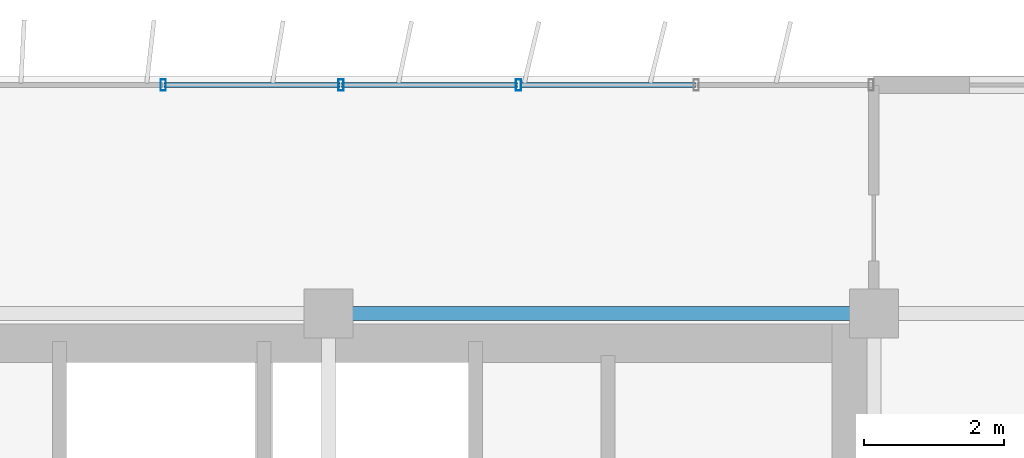
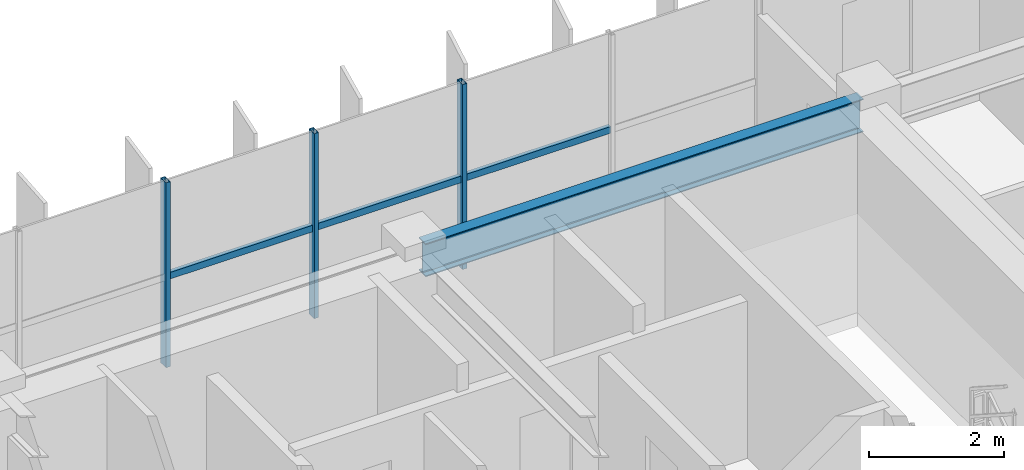
# One storey, part 10 of 21: 6 members, 1 beam, 1 element without a shape of its own.
"""IFC4 building model written with IfcOpenShell, lengths in metres."""

from ifc_helpers import new_model, si_unit, direction, frame, origin, origin_2d, place, context, subcontext, project, spatial, hollow_rectangle, i_section, extrude, source, transform, mapped, material, material_profile, profile_set, type_object, element, aggregate, save


model = new_model("IFC4")

# Units and contexts
model_context = context("Model", 3, precision=1e-05, world=origin(), true_north=direction((0.0, 1.0)))
body_context = subcontext(model_context, "Body", "Model", "MODEL_VIEW")
ifc_project = project(units=[si_unit("LENGTHUNIT", "METRE"), si_unit("AREAUNIT", "SQUARE_METRE"), si_unit("VOLUMEUNIT", "CUBIC_METRE"), si_unit("PLANEANGLEUNIT", "RADIAN"), si_unit("MASSUNIT", "GRAM", prefix="KILO")], contexts=[model_context])

# Site, building, storey
site_placement = place(None, origin())
site = spatial("IfcSite", under=ifc_project, at=site_placement, CompositionType="ELEMENT")
building_placement = place(site_placement, origin())
building = spatial("IfcBuilding", under=site, at=building_placement, Name="Trelvane Seafront Commons", CompositionType="ELEMENT")
storey_placement = place(building_placement, frame((0.0, 0.0, 160.89990234375)))
storey = spatial("IfcBuildingStorey", under=building, at=storey_placement, Name="L42", CompositionType="ELEMENT", Elevation=160.89990234375)

# Beam
ifc_material_1 = material(Name="Steel SM355 (S355)", Category="steel")
ifc_material_profile_1 = material_profile(ifc_material_1, i_section(OverallWidth=0.199951171875, OverallDepth=0.60009765625, WebThickness=0.010986328125, FlangeThickness=0.01708984375, at=origin_2d()), Name="H-600x200x11x17")
ifc_profile_set_1 = profile_set([ifc_material_profile_1], Name="Steel SM355 (S355)")
beam_type = type_object("IfcBeamType", Name="STR-SPD-H600", PredefinedType="SPANDREL", material=ifc_profile_set_1)
shared_shape_1 = source(origin(), body_context, "Body", "SweptSolid", [
    extrude(i_section(OverallWidth=0.199951171875, OverallDepth=0.60009765625, WebThickness=0.010986328125, FlangeThickness=0.01708984375, at=origin_2d()), origin(), (0.0, 0.0, 1.0), 7.5),
])
beam_placement = place(storey_placement, frame((51.14990234375, 45.10009765625, 3.050048828125), z_axis=(1.0, 0.0, 0.0), x_axis=(0.0, 1.0, 0.0)))
element("IfcBeam", 1, at=beam_placement, inside=storey, type_object=beam_type, Name="L42 Primary Girder G-27", PredefinedType="SPANDREL", context=body_context, shape_type="MappedRepresentation", body=[
    mapped(shared_shape_1, transform((0.0, 0.0, 0.0), x_axis=(1.0, 0.0, 0.0), y_axis=(0.0, 1.0, 0.0), z_axis=(0.0, 0.0, 1.0), scale=1.0)),
])

# Curtain wall, members
ifc_material_2 = material(Name="Anodised pale-silver aluminium", Category="aluminium")
curtain_wall_type = type_object("IfcCurtainWallType", Name="ARCH-CW5-UPTOWER", PredefinedType="NOTDEFINED", material=ifc_material_2)
curtain_wall_placement = place(storey_placement, origin())
curtain_wall = element("IfcCurtainWall", 2, at=curtain_wall_placement, inside=storey, type_object=curtain_wall_type, Name="CW-L42-0069", PredefinedType="NOTDEFINED")
ifc_material_profile_2 = material_profile(ifc_material_2, hollow_rectangle(XDim=0.070068359375, YDim=0.1201171875, WallThickness=0.00390625, at=origin_2d()), Name="TRAN-70x120x4")
ifc_profile_set_2 = profile_set([ifc_material_profile_2], Name="Anodised pale-silver aluminium")
member_type_1 = type_object("IfcMemberType", Name="ARCH-CW-TRAN-120", PredefinedType="USERDEFINED", material=ifc_profile_set_2)
shared_shape_2 = source(origin(), body_context, "Body", "SweptSolid", [
    extrude(hollow_rectangle(XDim=0.070068359375, YDim=0.1201171875, WallThickness=0.00390625, at=origin_2d()), origin(), (0.0, 0.0, 1.0), 2.51708984375),
])
member_1_placement = place(storey_placement, frame((51.1884765625, 48.3701171875, 1.608154296875), z_axis=(1.0, 0.0, 0.0), x_axis=(0.0, 1.0, 0.0)))
member_1 = element("IfcMember", 3, at=member_1_placement, type_object=member_type_1, Name="CW-L42-0069-T14", ObjectType="TRANSOM", PredefinedType="USERDEFINED", context=body_context, shape_type="MappedRepresentation", body=[
    mapped(shared_shape_2, transform((0.0, 0.0, 0.0), x_axis=(1.0, 0.0, 0.0), y_axis=(0.0, 1.0, 0.0), z_axis=(0.0, 0.0, 1.0), scale=1.0)),
])
shared_shape_3 = source(origin(), body_context, "Body", "SweptSolid", [
    extrude(hollow_rectangle(XDim=0.070068359375, YDim=0.1201171875, WallThickness=0.00390625, at=origin_2d()), origin(), (0.0, 0.0, 1.0), 2.517333984375),
])
member_2_placement = place(storey_placement, frame((48.647216796875, 48.3701171875, 1.608154296875), z_axis=(1.0, 0.0, 0.0), x_axis=(0.0, 1.0, 0.0)))
member_2 = element("IfcMember", 4, at=member_2_placement, type_object=member_type_1, Name="CW-L42-0069-T13", ObjectType="TRANSOM", PredefinedType="USERDEFINED", context=body_context, shape_type="MappedRepresentation", body=[
    mapped(shared_shape_3, transform((0.0, 0.0, 0.0), x_axis=(1.0, 0.0, 0.0), y_axis=(0.0, 1.0, 0.0), z_axis=(0.0, 0.0, 1.0), scale=1.0)),
])
member_3_placement = place(storey_placement, frame((53.7294921875, 48.3701171875, 1.608154296875), z_axis=(1.0, 0.0, 0.0), x_axis=(0.0, 1.0, 0.0)))
member_3 = element("IfcMember", 5, at=member_3_placement, type_object=member_type_1, Name="CW-L42-0069-T15", ObjectType="TRANSOM", PredefinedType="USERDEFINED", context=body_context, shape_type="MappedRepresentation", body=[
    mapped(shared_shape_3, transform((0.0, 0.0, 0.0), x_axis=(1.0, 0.0, 0.0), y_axis=(0.0, 1.0, 0.0), z_axis=(0.0, 0.0, 1.0), scale=1.0)),
])
ifc_material_profile_3 = material_profile(ifc_material_2, hollow_rectangle(XDim=0.074951171875, YDim=0.159912109375, WallThickness=0.00390625, at=origin_2d()), Name="MULL-75x160x4")
ifc_profile_set_3 = profile_set([ifc_material_profile_3], Name="Anodised pale-silver aluminium")
member_type_2 = type_object("IfcMemberType", Name="ARCH-CW-MULL-160", PredefinedType="MULLION", material=ifc_profile_set_3)
shared_shape_4 = source(origin(), body_context, "Body", "SweptSolid", [
    extrude(hollow_rectangle(XDim=0.074951171875, YDim=0.159912109375, WallThickness=0.00390625, at=origin_2d()), origin(), (0.0, 0.0, 1.0), 3.35009765625),
])
member_4_placement = place(storey_placement, frame((48.63525390625, 48.3701171875, 0.0), z_axis=(0.0, 0.0, 1.0), x_axis=(1.0, 0.0, 0.0)))
member_4 = element("IfcMember", 6, at=member_4_placement, type_object=member_type_2, Name="CW-L42-0069-M13", PredefinedType="MULLION", context=body_context, shape_type="MappedRepresentation", body=[
    mapped(shared_shape_4, transform((0.0, 0.0, 0.0), x_axis=(1.0, 0.0, 0.0), y_axis=(0.0, 1.0, 0.0), z_axis=(0.0, 0.0, 1.0), scale=1.0)),
])
member_5_placement = place(storey_placement, frame((51.176513671875, 48.3701171875, 0.0), z_axis=(0.0, 0.0, 1.0), x_axis=(1.0, 0.0, 0.0)))
member_5 = element("IfcMember", 7, at=member_5_placement, type_object=member_type_2, Name="CW-L42-0069-M14", PredefinedType="MULLION", context=body_context, shape_type="MappedRepresentation", body=[
    mapped(shared_shape_4, transform((0.0, 0.0, 0.0), x_axis=(1.0, 0.0, 0.0), y_axis=(0.0, 1.0, 0.0), z_axis=(0.0, 0.0, 1.0), scale=1.0)),
])
member_6_placement = place(storey_placement, frame((53.717529296875, 48.3701171875, 0.0), z_axis=(0.0, 0.0, 1.0), x_axis=(1.0, 0.0, 0.0)))
member_6 = element("IfcMember", 8, at=member_6_placement, type_object=member_type_2, Name="CW-L42-0069-M15", PredefinedType="MULLION", context=body_context, shape_type="MappedRepresentation", body=[
    mapped(shared_shape_4, transform((0.0, 0.0, 0.0), x_axis=(1.0, 0.0, 0.0), y_axis=(0.0, 1.0, 0.0), z_axis=(0.0, 0.0, 1.0), scale=1.0)),
])
aggregate(curtain_wall, [member_4, member_5, member_6, member_2, member_1, member_3])

save(model, "model.ifc")
